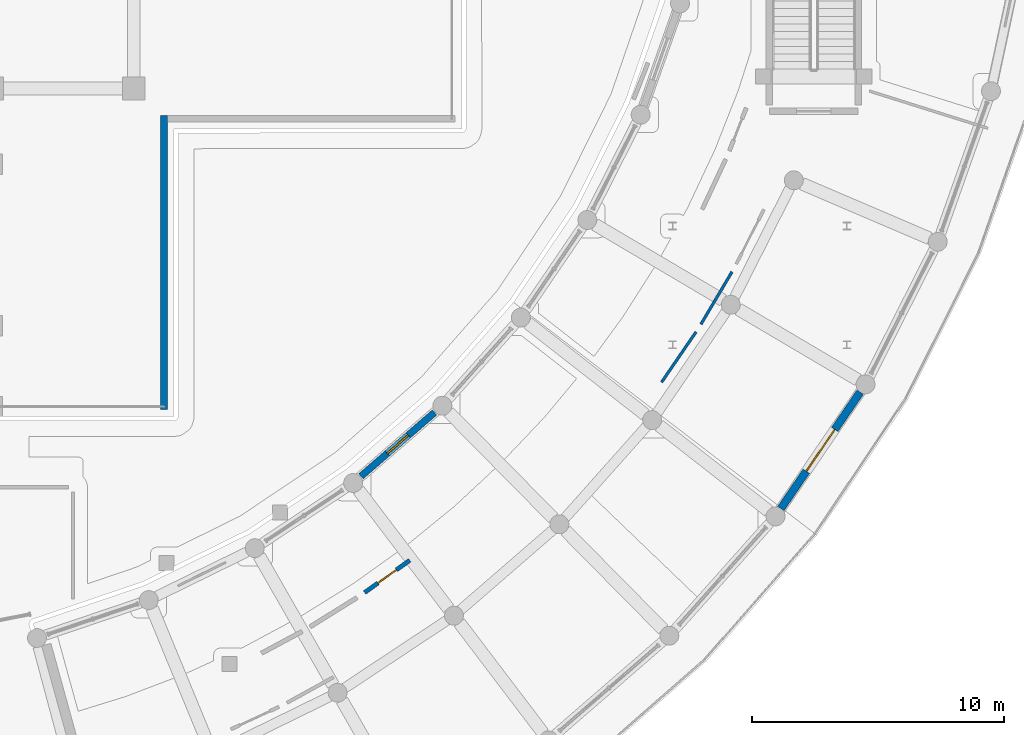
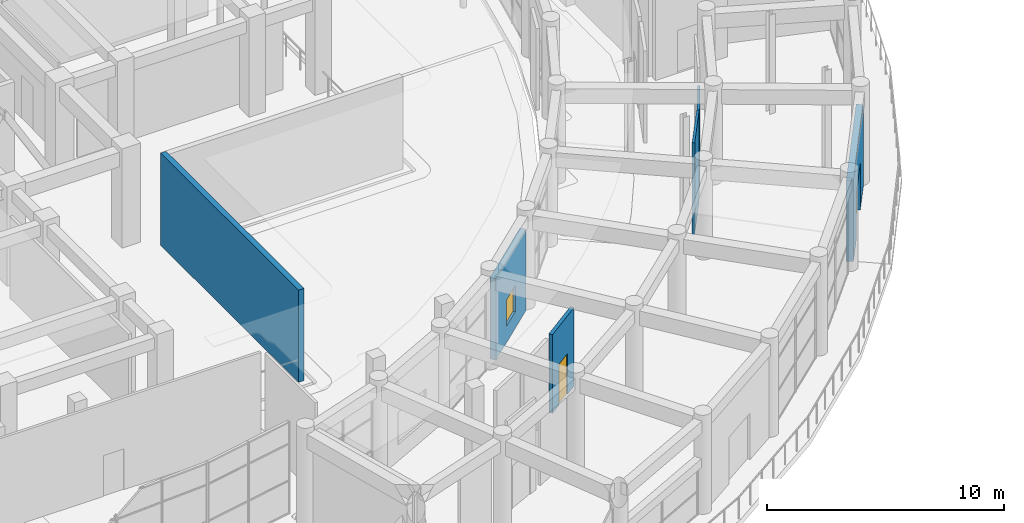
# One storey, part 68 of 99: 6 walls, 2 doors, 1 window, 3 openings.
"""IFC4 building model written with IfcOpenShell, lengths in metres."""

from ifc_helpers import new_model, si_unit, direction, frame, frame_2d, origin, place, context, subcontext, project, spatial, rectangle, extrude, material, layer, layer_set, type_object, element, fill, save


model = new_model("IFC4")

# Units and contexts
model_context = context("Model", 3, precision=1e-05, world=origin(), true_north=direction((0.0, 1.0)))
body_context = subcontext(model_context, "Body", "Model", "MODEL_VIEW")
ifc_project = project(units=[si_unit("LENGTHUNIT", "METRE"), si_unit("AREAUNIT", "SQUARE_METRE"), si_unit("VOLUMEUNIT", "CUBIC_METRE"), si_unit("PLANEANGLEUNIT", "RADIAN"), si_unit("MASSUNIT", "GRAM", prefix="KILO")], contexts=[model_context])

# Site, building, storey
site_placement = place(None, origin())
site = spatial("IfcSite", under=ifc_project, at=site_placement, CompositionType="ELEMENT")
building_placement = place(site_placement, origin())
building = spatial("IfcBuilding", under=site, at=building_placement, Name="Saryqyr Civic Hall", CompositionType="ELEMENT")
storey_placement = place(building_placement, origin())
storey = spatial("IfcBuildingStorey", under=building, at=storey_placement, Name="L00", CompositionType="ELEMENT", Elevation=0.0)

# Wall, opening, window
ifc_material_1 = material(Name="Precast concrete C40/50", Category="concrete")
ifc_layer_1 = layer(ifc_material_1, 0.27001953125, Name="Precast concrete C40/50")
ifc_layer_set_1 = layer_set([ifc_layer_1], Name="Precast concrete C40/50")
wall_type_1 = type_object("IfcWallType", Name="ENV-WAL-EXT-270", PredefinedType="STANDARD", material=ifc_layer_set_1)
wall_1_placement = place(storey_placement, frame((79.2041015625, 55.43994140625, 0.0), z_axis=(0.0, 0.0, 1.0), x_axis=(0.755632658467, 0.654995637739, 0.0)))
wall_1 = element("IfcWall", 1, at=wall_1_placement, inside=storey, type_object=wall_type_1, Name="Exterior wall V5-EWI-L00-03", PredefinedType="STANDARD", context=body_context, shape_type="SweptSolid", body=[
    extrude(rectangle(XDim=3.854736328125, YDim=0.27001953125, at=frame_2d((1.92724609375, 0.0))), origin(), (0.0, 0.0, 1.0), 4.195068359375),
])
opening_1_placement = place(wall_1_placement, frame((1.376953125, 0.0, 0.85009765625)))
opening_1 = element("IfcOpeningElement", 2, at=opening_1_placement, cuts=wall_1, Name="Opening W-01", PredefinedType="OPENING", context=body_context, shape_type="SweptSolid", body=[
    extrude(rectangle(XDim=1.10009765625, YDim=1.35009765625, at=frame_2d((0.550048828125, 0.675048828125))), frame((0.0, 0.14501953125, 0.0), z_axis=(0.0, -1.0, 0.0), x_axis=(1.0, 0.0, 0.0)), (0.0, 0.0, 1.0), 0.2900390625),
])
ifc_material_2 = material(Name="Anodised aluminium and triple low-E glass", Category="aluminium")
window_type = type_object("IfcWindowType", Name="ENV-WIN-W01", PartitioningType="SINGLE_PANEL", PredefinedType="WINDOW", material=ifc_material_2)
window_placement = place(opening_1_placement, origin())
window = element("IfcWindow", 3, at=window_placement, inside=storey, type_object=window_type, Name="Courtyard window V5-L00-03", OverallHeight=1.35009765625, OverallWidth=1.10009765625, PartitioningType="SINGLE_PANEL", PredefinedType="WINDOW", context=body_context, shape_type="SweptSolid", body=[
    extrude(rectangle(XDim=1.10009765625, YDim=1.35009765625, at=frame_2d((0.550048828125, 0.675048828125))), frame((0.0, 0.030029296875, 0.0), z_axis=(0.0, -1.0, 0.0), x_axis=(1.0, 0.0, 0.0)), (0.0, 0.0, 1.0), 0.06005859375),
])
fill(opening_1, window)

# Wall
wall_2_placement = place(storey_placement, frame((71.39990234375, 69.719970703125, 0.0), z_axis=(0.0, 0.0, 1.0), x_axis=(0.0, -1.0, 0.0)))
element("IfcWall", 4, at=wall_2_placement, inside=storey, type_object=wall_type_1, Name="Exterior wall V1-EW-L00-10", PredefinedType="STANDARD", context=body_context, shape_type="SweptSolid", body=[
    extrude(rectangle(XDim=11.639892578125, YDim=0.27001953125, at=frame_2d((5.81982421875, 0.0))), origin(), (0.0, 0.0, 1.0), 4.75),
])

# Wall, opening, door
ifc_layer_2 = layer(ifc_material_1, 0.31005859375, Name="Precast concrete C40/50")
ifc_layer_set_2 = layer_set([ifc_layer_2], Name="Precast concrete C40/50")
wall_type_2 = type_object("IfcWallType", Name="ENV-WAL-EXT-310", PredefinedType="STANDARD", material=ifc_layer_set_2)
wall_3_placement = place(storey_placement, frame((98.978271484375, 58.76904296875, 0.0), z_axis=(0.0, 0.0, 1.0), x_axis=(-0.563145322758, -0.826357879769, 0.0)))
wall_3 = element("IfcWall", 5, at=wall_3_placement, inside=storey, type_object=wall_type_2, Name="Exterior wall V5-EWO-L00-05", PredefinedType="STANDARD", context=body_context, shape_type="SweptSolid", body=[
    extrude(rectangle(XDim=5.578125, YDim=0.31005859375, at=frame_2d((2.7890625, 0.0))), origin(), (0.0, 0.0, 1.0), 4.195068359375),
])
opening_2_placement = place(wall_3_placement, frame((1.7890625, 0.0, 0.0)))
opening_2 = element("IfcOpeningElement", 6, at=opening_2_placement, cuts=wall_3, Name="Opening ED-A", PredefinedType="OPENING", context=body_context, shape_type="SweptSolid", body=[
    extrude(rectangle(XDim=2.0, YDim=2.39990234375, at=frame_2d((1.0, 1.199951171875))), frame((0.0, 0.1650390625, 0.0), z_axis=(0.0, -1.0, 0.0), x_axis=(1.0, 0.0, 0.0)), (0.0, 0.0, 1.0), 0.330078125),
])
ifc_material_3 = material(Name="Thermally broken painted galvanized steel", Category="steel")
door_type_1 = type_object("IfcDoorType", Name="ENV-DR-EXIT-2000x2400", OperationType="NOTDEFINED", PredefinedType="DOOR", material=ifc_material_3)
door_1_placement = place(opening_2_placement, origin())
door_1 = element("IfcDoor", 7, at=door_1_placement, inside=storey, type_object=door_type_1, Name="Pedestrian Final Exit Door V5-05", OperationType="DOUBLE_DOOR_SINGLE_SWING", OverallHeight=2.39990234375, OverallWidth=2.0, PredefinedType="DOOR", context=body_context, shape_type="SweptSolid", body=[
    extrude(rectangle(XDim=2.0, YDim=2.39990234375, at=frame_2d((1.0, 1.199951171875))), frame((0.0, 0.02490234375, 0.0), z_axis=(0.0, -1.0, 0.0), x_axis=(1.0, 0.0, 0.0)), (0.0, 0.0, 1.0), 0.050048828125),
])
fill(opening_2, door_1)

# Walls
ifc_material_4 = material(Name="Moisture-resistant gypsum partition", Category="gypsum")
ifc_layer_3 = layer(ifc_material_4, 0.110107421875, Name="Moisture-resistant gypsum partition")
ifc_layer_set_3 = layer_set([ifc_layer_3], Name="Moisture-resistant gypsum partition")
wall_type_3 = type_object("IfcWallType", Name="INT-WAL-PRT-110", PredefinedType="PARTITIONING", material=ifc_layer_set_3)
wall_4_placement = place(storey_placement, frame((92.669677734375, 61.4599609375, 0.0), z_axis=(0.0, 0.0, 1.0), x_axis=(0.509713677452, 0.860344098032, 0.0)))
element("IfcWall", 8, at=wall_4_placement, inside=storey, type_object=wall_type_3, Name="Interior partition PRT-SP-V5-L00-R02-W1", PredefinedType="PARTITIONING", context=body_context, shape_type="SweptSolid", body=[
    extrude(rectangle(XDim=2.4140625, YDim=0.110107421875, at=frame_2d((1.20703125, 0.0))), origin(), (0.0, 0.0, 1.0), 4.044921875),
])
wall_5_placement = place(storey_placement, frame((91.111572265625, 59.1650390625, 0.0), z_axis=(0.0, 0.0, 1.0), x_axis=(0.565227616855, 0.824934992072, 0.0)))
element("IfcWall", 9, at=wall_5_placement, inside=storey, type_object=wall_type_3, Name="Interior partition PRT-SP-V5-L00-R02-W2", PredefinedType="PARTITIONING", context=body_context, shape_type="SweptSolid", body=[
    extrude(rectangle(XDim=2.4140625, YDim=0.110107421875, at=frame_2d((1.20703125, 0.0))), origin(), (0.0, 0.0, 1.0), 4.72998046875),
])

# Wall, opening, door
ifc_material_5 = material(Name="Acoustic double-stud gypsum board", Category="gypsum")
ifc_layer_4 = layer(ifc_material_5, 0.169921875, Name="Acoustic double-stud gypsum board")
ifc_layer_set_4 = layer_set([ifc_layer_4], Name="Acoustic double-stud gypsum board")
wall_type_4 = type_object("IfcWallType", Name="INT-WAL-PRT-170", PredefinedType="PARTITIONING", material=ifc_layer_set_4)
wall_6_placement = place(storey_placement, frame((81.134765625, 52.108154296875, 0.0), z_axis=(0.0, 0.0, 1.0), x_axis=(-0.813695920366, -0.581290761305, 0.0)))
wall_6 = element("IfcWall", 10, at=wall_6_placement, inside=storey, type_object=wall_type_4, Name="Interior partition PRT-SP-V5-L00-R04-W1", PredefinedType="PARTITIONING", context=body_context, shape_type="SweptSolid", body=[
    extrude(rectangle(XDim=2.196533203125, YDim=0.169921875, at=frame_2d((1.09814453125, 0.0))), origin(), (0.0, 0.0, 1.0), 4.044921875),
])
opening_3_placement = place(wall_6_placement, frame((0.64794921875, 0.0, 0.0)))
opening_3 = element("IfcOpeningElement", 11, at=opening_3_placement, cuts=wall_6, Name="Opening D-01", PredefinedType="OPENING", context=body_context, shape_type="SweptSolid", body=[
    extrude(rectangle(XDim=0.89990234375, YDim=2.10009765625, at=frame_2d((0.449951171875, 1.050048828125))), frame((0.0, 0.094970703125, 0.0), z_axis=(0.0, -1.0, 0.0), x_axis=(1.0, 0.0, 0.0)), (0.0, 0.0, 1.0), 0.18994140625),
])
ifc_material_6 = material(Name="Acoustic solid-core oak veneer", Category="wood")
door_type_2 = type_object("IfcDoorType", Name="INT-DR-D-01", OperationType="NOTDEFINED", PredefinedType="DOOR", material=ifc_material_6)
door_2_placement = place(opening_3_placement, origin())
door_2 = element("IfcDoor", 12, at=door_2_placement, inside=storey, type_object=door_type_2, Name="Interior door Citizens' Consultation Rooms", OperationType="SINGLE_SWING_LEFT", OverallHeight=2.10009765625, OverallWidth=0.89990234375, PredefinedType="DOOR", context=body_context, shape_type="SweptSolid", body=[
    extrude(rectangle(XDim=0.89990234375, YDim=2.10009765625, at=frame_2d((0.449951171875, 1.050048828125))), frame((0.0, 0.02490234375, 0.0), z_axis=(0.0, -1.0, 0.0), x_axis=(1.0, 0.0, 0.0)), (0.0, 0.0, 1.0), 0.050048828125),
])
fill(opening_3, door_2)

save(model, "model.ifc")
